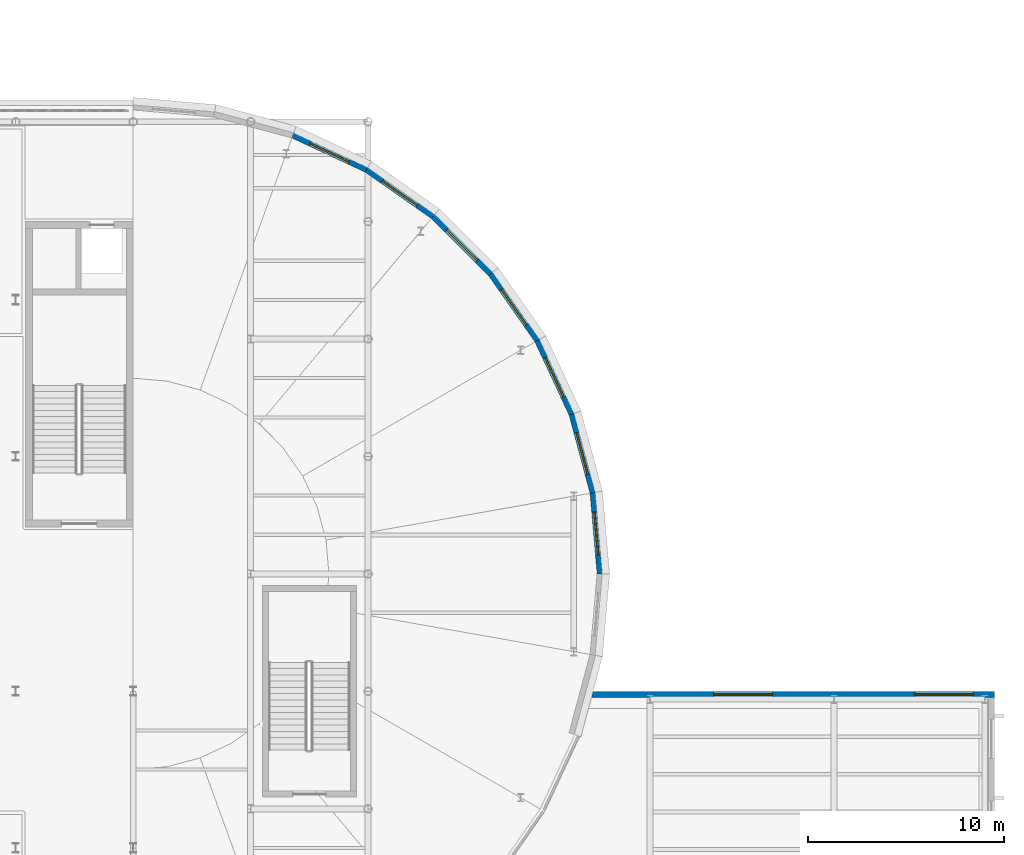
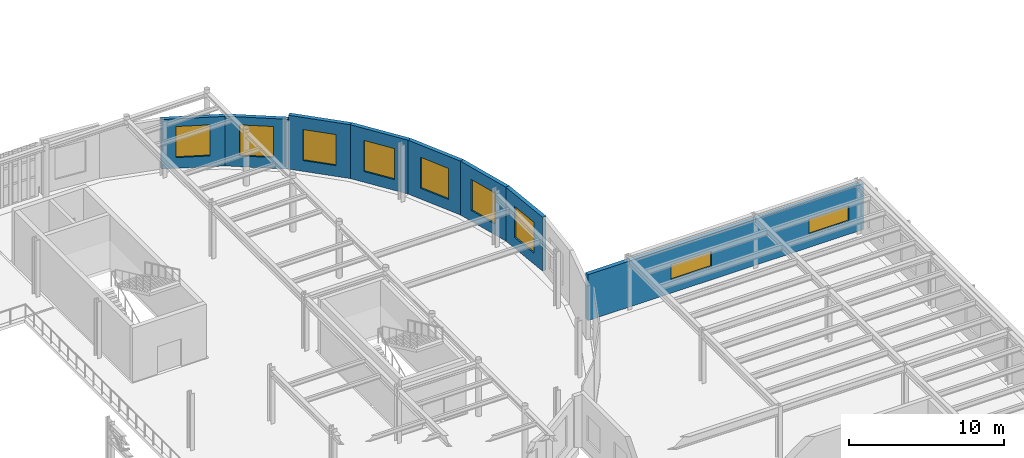
# One storey, part 71 of 91: 9 windows, 8 walls, 9 openings.
"""IFC4 building model written with IfcOpenShell, lengths in metres."""

from ifc_helpers import new_model, si_unit, direction, frame, frame_2d, origin, place, context, subcontext, project, spatial, rectangle, extrude, material, layer, layer_set, type_object, element, fill, save


model = new_model("IFC4")

# Units and contexts
model_context = context("Model", 3, precision=1e-05, world=origin(), true_north=direction((0.0, 1.0)))
body_context = subcontext(model_context, "Body", "Model", "MODEL_VIEW")
ifc_project = project(units=[si_unit("LENGTHUNIT", "METRE"), si_unit("AREAUNIT", "SQUARE_METRE"), si_unit("VOLUMEUNIT", "CUBIC_METRE"), si_unit("PLANEANGLEUNIT", "RADIAN"), si_unit("MASSUNIT", "GRAM", prefix="KILO")], contexts=[model_context])

# Site, building, storey
site_placement = place(None, origin())
site = spatial("IfcSite", under=ifc_project, at=site_placement, CompositionType="ELEMENT")
building_placement = place(site_placement, origin())
building = spatial("IfcBuilding", under=site, at=building_placement, Name="Kolvaren Corner Interchange", CompositionType="ELEMENT")
storey_placement = place(building_placement, frame((0.0, 0.0, 6.0)))
storey = spatial("IfcBuildingStorey", under=building, at=storey_placement, Name="L02", CompositionType="ELEMENT", Elevation=6.0)

# Wall, openings, windows
ifc_material_1 = material(Name="Ochre Architectural Terracotta Rainscreen Assembly", Category="masonry")
ifc_layer_1 = layer(ifc_material_1, 0.300048828125)
ifc_layer_set_1 = layer_set([ifc_layer_1], Name="Ochre Architectural Terracotta Rainscreen Assembly")
wall_type_1 = type_object("IfcWallType", Name="WT-EXT-OCH300", PredefinedType="SOLIDWALL", material=ifc_layer_set_1)
wall_1_placement = place(storey_placement, frame((164.0, 41.840087890625, 0.0), z_axis=(0.0, 0.0, 1.0), x_axis=(-1.0, 0.0, 0.0)))
wall_1 = element("IfcWall", 1, at=wall_1_placement, inside=storey, type_object=wall_type_1, Name="Bus Lounge Upper North Overlook Wall 0196", PredefinedType="SOLIDWALL", context=body_context, shape_type="SweptSolid", body=[
    extrude(rectangle(XDim=20.550048828125, YDim=0.300048828125, at=frame_2d((10.27490234375, 0.0))), origin(), (0.0, 0.0, 1.0), 3.625),
])
opening_1_placement = place(wall_1_placement, frame((1.06884765625, 0.0, 1.050048828125)))
opening_1 = element("IfcOpeningElement", 2, at=opening_1_placement, cuts=wall_1, Name="Opening W-08", PredefinedType="OPENING", context=body_context, shape_type="SweptSolid", body=[
    extrude(rectangle(XDim=3.0, YDim=1.199951171875, at=frame_2d((1.5, 0.60009765625))), frame((0.0, 0.159912109375, 0.0), z_axis=(0.0, -1.0, 0.0), x_axis=(1.0, 0.0, 0.0)), (0.0, 0.0, 1.0), 0.320068359375),
])
opening_2_placement = place(wall_1_placement, frame((11.34375, 0.0, 1.050048828125)))
opening_2 = element("IfcOpeningElement", 3, at=opening_2_placement, cuts=wall_1, Name="Opening W-08", PredefinedType="OPENING", context=body_context, shape_type="SweptSolid", body=[
    extrude(rectangle(XDim=3.0, YDim=1.199951171875, at=frame_2d((1.5, 0.60009765625))), frame((0.0, 0.159912109375, 0.0), z_axis=(0.0, -1.0, 0.0), x_axis=(1.0, 0.0, 0.0)), (0.0, 0.0, 1.0), 0.320068359375),
])
ifc_material_2 = material(Name="Thermally Broken Aluminium and Solar-Control Double Glazing", Category="aluminium")
window_type_1 = type_object("IfcWindowType", Name="WT-CLER-3000x1200", PartitioningType="TRIPLE_PANEL_HORIZONTAL", PredefinedType="WINDOW", material=ifc_material_2)
window_1_placement = place(opening_1_placement, origin())
window_1 = element("IfcWindow", 4, at=window_1_placement, inside=storey, type_object=window_type_1, Name="L02 Bus Lounge Upper North Overlook Window 0317", OverallHeight=1.199951171875, OverallWidth=3.0, PartitioningType="SINGLE_PANEL", PredefinedType="WINDOW", context=body_context, shape_type="SweptSolid", body=[
    extrude(rectangle(XDim=3.0, YDim=1.199951171875, at=frame_2d((1.5, 0.60009765625))), frame((0.0, 0.030029296875, 0.0), z_axis=(0.0, -1.0, 0.0), x_axis=(1.0, 0.0, 0.0)), (0.0, 0.0, 1.0), 0.06005859375),
])
fill(opening_1, window_1)
window_2_placement = place(opening_2_placement, origin())
window_2 = element("IfcWindow", 5, at=window_2_placement, inside=storey, type_object=window_type_1, Name="L02 Bus Lounge Upper North Overlook Window 0318", OverallHeight=1.199951171875, OverallWidth=3.0, PartitioningType="SINGLE_PANEL", PredefinedType="WINDOW", context=body_context, shape_type="SweptSolid", body=[
    extrude(rectangle(XDim=3.0, YDim=1.199951171875, at=frame_2d((1.5, 0.60009765625))), frame((0.0, 0.030029296875, 0.0), z_axis=(0.0, -1.0, 0.0), x_axis=(1.0, 0.0, 0.0)), (0.0, 0.0, 1.0), 0.06005859375),
])
fill(opening_2, window_2)

# Wall, opening, window
ifc_material_3 = material(Name="White Glazed Ceramic Terracotta Band Assembly", Category="masonry")
ifc_layer_2 = layer(ifc_material_3, 0.280029296875)
ifc_layer_set_2 = layer_set([ifc_layer_2], Name="White Glazed Ceramic Terracotta Band Assembly")
wall_type_2 = type_object("IfcWallType", Name="WT-EXT-WHT280", PredefinedType="SOLIDWALL", material=ifc_layer_set_2)
wall_2_placement = place(storey_placement, frame((143.840087890625, 48.0, 0.0), z_axis=(0.0, 0.0, 1.0), x_axis=(-0.087182254487, 0.99619237826, 0.0)))
wall_2 = element("IfcWall", 6, at=wall_2_placement, inside=storey, type_object=wall_type_2, Name="Racetrack East Curved Drum Chord 10 Wall 0122", PredefinedType="SOLIDWALL", context=body_context, shape_type="SweptSolid", body=[
    extrude(rectangle(XDim=4.15576171875, YDim=0.280029296875, at=frame_2d((2.077880859375, 0.0))), origin(), (0.0, 0.0, 1.0), 4.25),
])
opening_3_placement = place(wall_2_placement, frame((0.977783203125, 0.0, 0.85009765625)))
opening_3 = element("IfcOpeningElement", 7, at=opening_3_placement, cuts=wall_2, Name="Opening W-04", PredefinedType="OPENING", context=body_context, shape_type="SweptSolid", body=[
    extrude(rectangle(XDim=2.199951171875, YDim=2.449951171875, at=frame_2d((1.10009765625, 1.22509765625))), frame((0.0, 0.14990234375, 0.0), z_axis=(0.0, -1.0, 0.0), x_axis=(1.0, 0.0, 0.0)), (0.0, 0.0, 1.0), 0.300048828125),
])
ifc_material_4 = material(Name="Thermally Broken Aluminium and Solar-Control Double Glazing", Category="aluminium")
window_type_2 = type_object("IfcWindowType", Name="WT-ARC-2200x2450", PartitioningType="DOUBLE_PANEL_VERTICAL", PredefinedType="WINDOW", material=ifc_material_4)
window_3_placement = place(opening_3_placement, origin())
window_3 = element("IfcWindow", 8, at=window_3_placement, inside=storey, type_object=window_type_2, Name="L02 Racetrack East Curved Drum Chord 10 Window 0188", OverallHeight=2.449951171875, OverallWidth=2.199951171875, PartitioningType="SINGLE_PANEL", PredefinedType="WINDOW", context=body_context, shape_type="SweptSolid", body=[
    extrude(rectangle(XDim=2.199951171875, YDim=2.449951171875, at=frame_2d((1.10009765625, 1.22509765625))), frame((0.0, 0.030029296875, 0.0), z_axis=(0.0, -1.0, 0.0), x_axis=(1.0, 0.0, 0.0)), (0.0, 0.0, 1.0), 0.06005859375),
])
fill(opening_3, window_3)

wall_3_placement = place(storey_placement, frame((143.477783203125, 52.139892578125, 0.0), z_axis=(0.0, 0.0, 1.0), x_axis=(-0.258799713026, 0.965931006096, 0.0)))
wall_3 = element("IfcWall", 9, at=wall_3_placement, inside=storey, type_object=wall_type_2, Name="Racetrack East Curved Drum Chord 11 Wall 0123", PredefinedType="SOLIDWALL", context=body_context, shape_type="SweptSolid", body=[
    extrude(rectangle(XDim=4.155517578125, YDim=0.280029296875, at=frame_2d((2.07763671875, 0.0))), origin(), (0.0, 0.0, 1.0), 4.25),
])
opening_4_placement = place(wall_3_placement, frame((0.977783203125, 0.0, 0.85009765625)))
opening_4 = element("IfcOpeningElement", 10, at=opening_4_placement, cuts=wall_3, Name="Opening W-04", PredefinedType="OPENING", context=body_context, shape_type="SweptSolid", body=[
    extrude(rectangle(XDim=2.199951171875, YDim=2.449951171875, at=frame_2d((1.10009765625, 1.22509765625))), frame((0.0, 0.14990234375, 0.0), z_axis=(0.0, -1.0, 0.0), x_axis=(1.0, 0.0, 0.0)), (0.0, 0.0, 1.0), 0.300048828125),
])
window_4_placement = place(opening_4_placement, origin())
window_4 = element("IfcWindow", 11, at=window_4_placement, inside=storey, type_object=window_type_2, Name="L02 Racetrack East Curved Drum Chord 11 Window 0189", OverallHeight=2.449951171875, OverallWidth=2.199951171875, PartitioningType="SINGLE_PANEL", PredefinedType="WINDOW", context=body_context, shape_type="SweptSolid", body=[
    extrude(rectangle(XDim=2.199951171875, YDim=2.449951171875, at=frame_2d((1.10009765625, 1.22509765625))), frame((0.0, 0.030029296875, 0.0), z_axis=(0.0, -1.0, 0.0), x_axis=(1.0, 0.0, 0.0)), (0.0, 0.0, 1.0), 0.06005859375),
])
fill(opening_4, window_4)

wall_4_placement = place(storey_placement, frame((142.40234375, 56.15380859375, 0.0), z_axis=(0.0, 0.0, 1.0), x_axis=(-0.422653878685, 0.906291177731, 0.0)))
wall_4 = element("IfcWall", 12, at=wall_4_placement, inside=storey, type_object=wall_type_2, Name="Racetrack East Curved Drum Chord 12 Wall 0124", PredefinedType="SOLIDWALL", context=body_context, shape_type="SweptSolid", body=[
    extrude(rectangle(XDim=4.155517578125, YDim=0.280029296875, at=frame_2d((2.07763671875, 0.0))), origin(), (0.0, 0.0, 1.0), 4.25),
])
opening_5_placement = place(wall_4_placement, frame((0.977783203125, 0.0, 0.85009765625)))
opening_5 = element("IfcOpeningElement", 13, at=opening_5_placement, cuts=wall_4, Name="Opening W-04", PredefinedType="OPENING", context=body_context, shape_type="SweptSolid", body=[
    extrude(rectangle(XDim=2.199951171875, YDim=2.449951171875, at=frame_2d((1.10009765625, 1.22509765625))), frame((0.0, 0.14990234375, 0.0), z_axis=(0.0, -1.0, 0.0), x_axis=(1.0, 0.0, 0.0)), (0.0, 0.0, 1.0), 0.300048828125),
])
window_5_placement = place(opening_5_placement, origin())
window_5 = element("IfcWindow", 14, at=window_5_placement, inside=storey, type_object=window_type_2, Name="L02 Racetrack East Curved Drum Chord 12 Window 0190", OverallHeight=2.449951171875, OverallWidth=2.199951171875, PartitioningType="SINGLE_PANEL", PredefinedType="WINDOW", context=body_context, shape_type="SweptSolid", body=[
    extrude(rectangle(XDim=2.199951171875, YDim=2.449951171875, at=frame_2d((1.10009765625, 1.22509765625))), frame((0.0, 0.030029296875, 0.0), z_axis=(0.0, -1.0, 0.0), x_axis=(1.0, 0.0, 0.0)), (0.0, 0.0, 1.0), 0.06005859375),
])
fill(opening_5, window_5)

wall_5_placement = place(storey_placement, frame((140.64599609375, 59.919921875, 0.0), z_axis=(0.0, 0.0, 1.0), x_axis=(-0.573549082007, 0.819171197327, 0.0)))
wall_5 = element("IfcWall", 15, at=wall_5_placement, inside=storey, type_object=wall_type_2, Name="Racetrack East Curved Drum Chord 13 Wall 0125", PredefinedType="SOLIDWALL", context=body_context, shape_type="SweptSolid", body=[
    extrude(rectangle(XDim=4.15576171875, YDim=0.280029296875, at=frame_2d((2.077880859375, 0.0))), origin(), (0.0, 0.0, 1.0), 4.25),
])
opening_6_placement = place(wall_5_placement, frame((0.977783203125, 0.0, 0.85009765625)))
opening_6 = element("IfcOpeningElement", 16, at=opening_6_placement, cuts=wall_5, Name="Opening W-04", PredefinedType="OPENING", context=body_context, shape_type="SweptSolid", body=[
    extrude(rectangle(XDim=2.199951171875, YDim=2.449951171875, at=frame_2d((1.10009765625, 1.22509765625))), frame((0.0, 0.14990234375, 0.0), z_axis=(0.0, -1.0, 0.0), x_axis=(1.0, 0.0, 0.0)), (0.0, 0.0, 1.0), 0.300048828125),
])
window_6_placement = place(opening_6_placement, origin())
window_6 = element("IfcWindow", 17, at=window_6_placement, inside=storey, type_object=window_type_2, Name="L02 Racetrack East Curved Drum Chord 13 Window 0191", OverallHeight=2.449951171875, OverallWidth=2.199951171875, PartitioningType="SINGLE_PANEL", PredefinedType="WINDOW", context=body_context, shape_type="SweptSolid", body=[
    extrude(rectangle(XDim=2.199951171875, YDim=2.449951171875, at=frame_2d((1.10009765625, 1.22509765625))), frame((0.0, 0.030029296875, 0.0), z_axis=(0.0, -1.0, 0.0), x_axis=(1.0, 0.0, 0.0)), (0.0, 0.0, 1.0), 0.06005859375),
])
fill(opening_6, window_6)

wall_6_placement = place(storey_placement, frame((138.262451171875, 63.32421875, 0.0), z_axis=(0.0, 0.0, 1.0), x_axis=(-0.707106781187, 0.707106781187, 0.0)))
wall_6 = element("IfcWall", 18, at=wall_6_placement, inside=storey, type_object=wall_type_2, Name="Racetrack East Curved Drum Chord 14 Wall 0126", PredefinedType="SOLIDWALL", context=body_context, shape_type="SweptSolid", body=[
    extrude(rectangle(XDim=4.1552734375, YDim=0.280029296875, at=frame_2d((2.07763671875, 0.0))), origin(), (0.0, 0.0, 1.0), 4.25),
])
opening_7_placement = place(wall_6_placement, frame((0.977783203125, 0.0, 0.85009765625)))
opening_7 = element("IfcOpeningElement", 19, at=opening_7_placement, cuts=wall_6, Name="Opening W-04", PredefinedType="OPENING", context=body_context, shape_type="SweptSolid", body=[
    extrude(rectangle(XDim=2.199951171875, YDim=2.449951171875, at=frame_2d((1.10009765625, 1.22509765625))), frame((0.0, 0.14990234375, 0.0), z_axis=(0.0, -1.0, 0.0), x_axis=(1.0, 0.0, 0.0)), (0.0, 0.0, 1.0), 0.300048828125),
])
window_7_placement = place(opening_7_placement, origin())
window_7 = element("IfcWindow", 20, at=window_7_placement, inside=storey, type_object=window_type_2, Name="L02 Racetrack East Curved Drum Chord 14 Window 0192", OverallHeight=2.449951171875, OverallWidth=2.199951171875, PartitioningType="SINGLE_PANEL", PredefinedType="WINDOW", context=body_context, shape_type="SweptSolid", body=[
    extrude(rectangle(XDim=2.199951171875, YDim=2.449951171875, at=frame_2d((1.10009765625, 1.22509765625))), frame((0.0, 0.030029296875, 0.0), z_axis=(0.0, -1.0, 0.0), x_axis=(1.0, 0.0, 0.0)), (0.0, 0.0, 1.0), 0.06005859375),
])
fill(opening_7, window_7)

wall_7_placement = place(storey_placement, frame((135.32421875, 66.262451171875, 0.0), z_axis=(0.0, 0.0, 1.0), x_axis=(-0.819171197327, 0.573549082007, 0.0)))
wall_7 = element("IfcWall", 21, at=wall_7_placement, inside=storey, type_object=wall_type_2, Name="Racetrack East Curved Drum Chord 15 Wall 0127", PredefinedType="SOLIDWALL", context=body_context, shape_type="SweptSolid", body=[
    extrude(rectangle(XDim=4.15576171875, YDim=0.280029296875, at=frame_2d((2.077880859375, 0.0))), origin(), (0.0, 0.0, 1.0), 3.925048828125),
])
opening_8_placement = place(wall_7_placement, frame((0.977783203125, 0.0, 0.85009765625)))
opening_8 = element("IfcOpeningElement", 22, at=opening_8_placement, cuts=wall_7, Name="Opening W-04", PredefinedType="OPENING", context=body_context, shape_type="SweptSolid", body=[
    extrude(rectangle(XDim=2.199951171875, YDim=2.449951171875, at=frame_2d((1.10009765625, 1.22509765625))), frame((0.0, 0.14990234375, 0.0), z_axis=(0.0, -1.0, 0.0), x_axis=(1.0, 0.0, 0.0)), (0.0, 0.0, 1.0), 0.300048828125),
])
window_8_placement = place(opening_8_placement, origin())
window_8 = element("IfcWindow", 23, at=window_8_placement, inside=storey, type_object=window_type_2, Name="L02 Racetrack East Curved Drum Chord 15 Window 0193", OverallHeight=2.449951171875, OverallWidth=2.199951171875, PartitioningType="SINGLE_PANEL", PredefinedType="WINDOW", context=body_context, shape_type="SweptSolid", body=[
    extrude(rectangle(XDim=2.199951171875, YDim=2.449951171875, at=frame_2d((1.10009765625, 1.22509765625))), frame((0.0, 0.030029296875, 0.0), z_axis=(0.0, -1.0, 0.0), x_axis=(1.0, 0.0, 0.0)), (0.0, 0.0, 1.0), 0.06005859375),
])
fill(opening_8, window_8)

wall_8_placement = place(storey_placement, frame((131.919921875, 68.64599609375, 0.0), z_axis=(0.0, 0.0, 1.0), x_axis=(-0.906291177731, 0.422653878685, 0.0)))
wall_8 = element("IfcWall", 24, at=wall_8_placement, inside=storey, type_object=wall_type_2, Name="Racetrack East Curved Drum Chord 16 Wall 0128", PredefinedType="SOLIDWALL", context=body_context, shape_type="SweptSolid", body=[
    extrude(rectangle(XDim=4.155517578125, YDim=0.280029296875, at=frame_2d((2.07763671875, 0.0))), origin(), (0.0, 0.0, 1.0), 3.905029296875),
])
opening_9_placement = place(wall_8_placement, frame((0.977783203125, 0.0, 0.85009765625)))
opening_9 = element("IfcOpeningElement", 25, at=opening_9_placement, cuts=wall_8, Name="Opening W-04", PredefinedType="OPENING", context=body_context, shape_type="SweptSolid", body=[
    extrude(rectangle(XDim=2.199951171875, YDim=2.449951171875, at=frame_2d((1.10009765625, 1.22509765625))), frame((0.0, 0.14990234375, 0.0), z_axis=(0.0, -1.0, 0.0), x_axis=(1.0, 0.0, 0.0)), (0.0, 0.0, 1.0), 0.300048828125),
])
window_9_placement = place(opening_9_placement, origin())
window_9 = element("IfcWindow", 26, at=window_9_placement, inside=storey, type_object=window_type_2, Name="L02 Racetrack East Curved Drum Chord 16 Window 0194", OverallHeight=2.449951171875, OverallWidth=2.199951171875, PartitioningType="SINGLE_PANEL", PredefinedType="WINDOW", context=body_context, shape_type="SweptSolid", body=[
    extrude(rectangle(XDim=2.199951171875, YDim=2.449951171875, at=frame_2d((1.10009765625, 1.22509765625))), frame((0.0, 0.030029296875, 0.0), z_axis=(0.0, -1.0, 0.0), x_axis=(1.0, 0.0, 0.0)), (0.0, 0.0, 1.0), 0.06005859375),
])
fill(opening_9, window_9)

save(model, "model.ifc")
